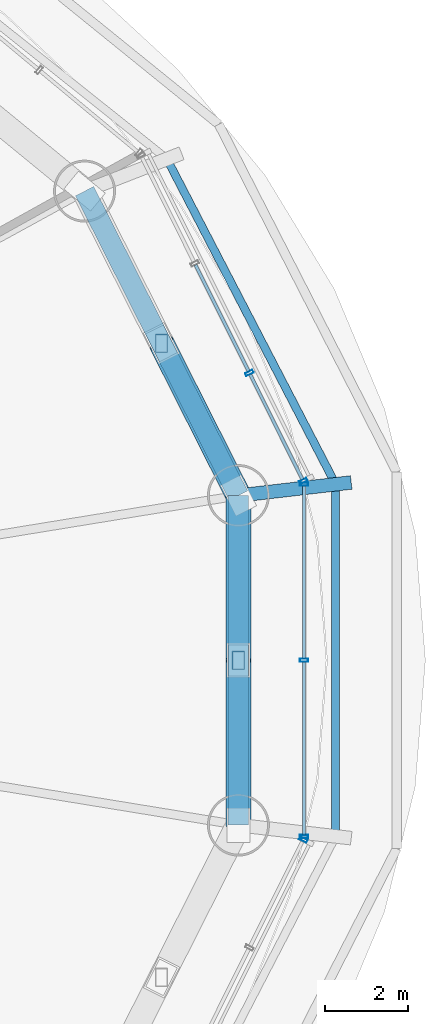
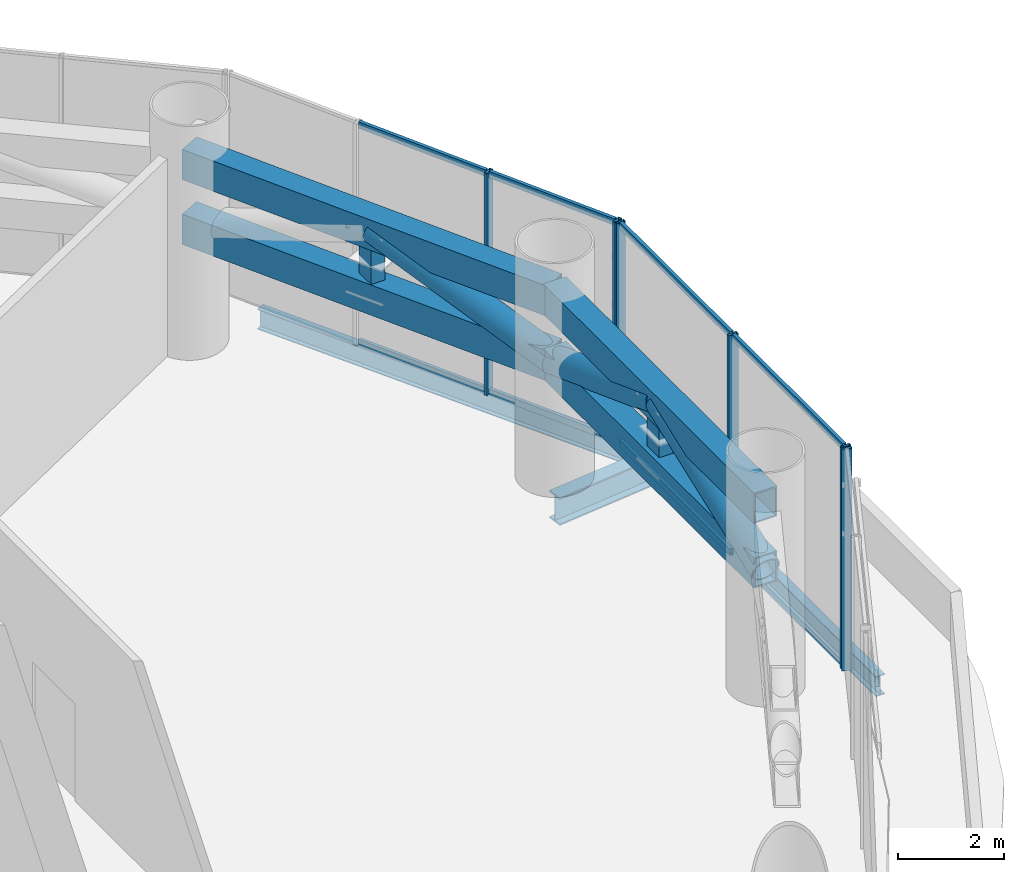
# One storey, part 17 of 33: 23 members, 3 beams, 3 elements without a shape of their own.
"""IFC4 building model written with IfcOpenShell, lengths in metres."""

from ifc_helpers import new_model, si_unit, direction, frame, origin, origin_2d, place, context, subcontext, project, spatial, hollow_rectangle, hollow_circle, i_section, extrude, source, transform, mapped, material, material_profile, profile_set, type_object, element, aggregate, save


model = new_model("IFC4")

# Units and contexts
model_context = context("Model", 3, precision=1e-05, world=origin(), true_north=direction((-0.2419218956, 0.970295726276)))
body_context = subcontext(model_context, "Body", "Model", "MODEL_VIEW")
ifc_project = project(units=[si_unit("LENGTHUNIT", "METRE"), si_unit("AREAUNIT", "SQUARE_METRE"), si_unit("VOLUMEUNIT", "CUBIC_METRE"), si_unit("PLANEANGLEUNIT", "RADIAN"), si_unit("MASSUNIT", "GRAM", prefix="KILO")], contexts=[model_context])

# Site, building, storey
site_placement = place(None, origin())
site = spatial("IfcSite", under=ifc_project, at=site_placement, CompositionType="ELEMENT")
building_placement = place(site_placement, origin())
building = spatial("IfcBuilding", under=site, at=building_placement, Name="Cobrevalo Terracotta Tower", CompositionType="ELEMENT")
storey_placement = place(building_placement, frame((0.0, 0.0, 74.39990234375)))
storey = spatial("IfcBuildingStorey", under=building, at=storey_placement, Name="L19", CompositionType="ELEMENT", Elevation=74.39990234375)

# Beams
ifc_material_1 = material(Name="Steel S355", Category="steel")
ifc_material_profile_1 = material_profile(ifc_material_1, i_section(OverallWidth=0.3291015625, OverallDepth=0.635009765625, WebThickness=0.017822265625, FlangeThickness=0.031005859375, at=origin_2d()), Name="W 610x241")
ifc_profile_set_1 = profile_set([ifc_material_profile_1], Name="Steel S355")
beam_type_1 = type_object("IfcBeamType", Name="Structural Beam W 610x241 (Steel S355)", PredefinedType="BEAM", material=ifc_profile_set_1)
beam_1_placement = place(storey_placement, frame((65.201904296875, 31.1064453125, -0.767333984375), z_axis=(-0.99333601579, -0.115254326316, 0.0), x_axis=(0.115254326316, -0.99333601579, 0.0)))
element("IfcBeam", 1, at=beam_1_placement, inside=storey, type_object=beam_type_1, Name="L19 setback step-link girder 01", PredefinedType="BEAM", context=body_context, shape_type="SweptSolid", body=[
    extrude(i_section(OverallWidth=0.3291015625, OverallDepth=0.635009765625, WebThickness=0.017822265625, FlangeThickness=0.031005859375, at=origin_2d()), origin(), (0.0, 0.0, 1.0), 2.74951171875),
])
ifc_material_profile_2 = material_profile(ifc_material_1, i_section(OverallWidth=0.194091796875, OverallDepth=0.468994140625, WebThickness=0.011474609375, FlangeThickness=0.0205078125, at=origin_2d()), Name="W 460x106")
ifc_profile_set_2 = profile_set([ifc_material_profile_2], Name="Steel S355")
beam_type_2 = type_object("IfcBeamType", Name="Structural Spandrel W 460x106 (Steel S355)", PredefinedType="SPANDREL", material=ifc_profile_set_2)
beam_2_placement = place(storey_placement, frame((64.824462890625, 31.062744140625, -0.684326171875), z_axis=(-0.460285838799, 0.88777077368, 0.0), x_axis=(-0.88777077368, -0.460285838799, 0.0)))
element("IfcBeam", 2, at=beam_2_placement, inside=storey, type_object=beam_type_2, Name="L19 perimeter ring spandrel 01", PredefinedType="SPANDREL", context=body_context, shape_type="SweptSolid", body=[
    extrude(i_section(OverallWidth=0.194091796875, OverallDepth=0.468994140625, WebThickness=0.011474609375, FlangeThickness=0.0205078125, at=origin_2d()), origin(), (0.0, 0.0, 1.0), 8.8720703125),
])
beam_3_placement = place(storey_placement, frame((64.824462890625, 22.537353515625, -0.684326171875), z_axis=(0.0, 1.0, 0.0), x_axis=(-1.0, 0.0, 0.0)))
element("IfcBeam", 3, at=beam_3_placement, inside=storey, type_object=beam_type_2, Name="L19 perimeter ring spandrel 16", PredefinedType="SPANDREL", context=body_context, shape_type="SweptSolid", body=[
    extrude(i_section(OverallWidth=0.194091796875, OverallDepth=0.468994140625, WebThickness=0.011474609375, FlangeThickness=0.0205078125, at=origin_2d()), origin(), (0.0, 0.0, 1.0), 8.525390625),
])

# Members
ifc_material_profile_3 = material_profile(ifc_material_1, hollow_rectangle(XDim=0.5, YDim=0.699951171875, WallThickness=0.031982421875, at=origin_2d()), Name="RHS 700x500x32")
ifc_profile_set_3 = profile_set([ifc_material_profile_3], Name="Steel S355")
member_type_1 = type_object("IfcMemberType", Name="Steel Chord RHS 700x500x32 (Steel S355)", PredefinedType="CHORD", material=ifc_profile_set_3)
shared_shape_1 = source(origin(), body_context, "Body", "SweptSolid", [
    extrude(hollow_rectangle(XDim=0.5, YDim=0.699951171875, WallThickness=0.031982421875, at=origin_2d()), origin(), (0.0, 0.0, 1.0), 8.259765625),
])
for number, where, z_axis, x_axis, name in (
    (4, (62.470703125, 30.78955078125, 2.650146484375), (-0.451051982172, 0.892497680321, 0.0), (-0.892497680321, -0.451051982172, 0.0), "L19 belt truss chord 01-BC"),
    (5, (62.470703125, 30.78955078125, 4.14501953125), (-0.451051982172, 0.892497680321, 0.0), (-0.892497680321, -0.451051982172, 0.0), "L19 belt truss chord 01-TC"),
):
    element("IfcMember", number, at=place(storey_placement, frame(where, z_axis=z_axis, x_axis=x_axis)), inside=storey, type_object=member_type_1, Name=name, PredefinedType="CHORD", context=body_context, shape_type="MappedRepresentation", body=[
        mapped(shared_shape_1, transform((0.0, 0.0, 0.0), scale=1.0)),
    ])
ifc_material_profile_4 = material_profile(ifc_material_1, hollow_rectangle(XDim=0.300048828125, YDim=0.449951171875, WallThickness=0.02001953125, at=origin_2d()), Name="RHS 450x300x20")
ifc_profile_set_4 = profile_set([ifc_material_profile_4], Name="Steel S355")
member_type_2 = type_object("IfcMemberType", Name="Steel Post RHS 450x300x20 (Steel S355)", PredefinedType="POST", material=ifc_profile_set_4)
shared_shape_2 = source(origin(), body_context, "Body", "SweptSolid", [
    extrude(hollow_rectangle(XDim=0.300048828125, YDim=0.449951171875, WallThickness=0.02001953125, at=origin_2d()), origin(), (0.0, 0.0, 1.0), 1.494873046875),
])
for number, where, z_axis, x_axis, name in (
    (6, (60.60791015625, 34.4755859375, 2.650146484375), (0.0, 0.0, 1.0), (1.0, 0.0, 0.0), "L19 belt truss post 01"),
    (7, (62.470703125, 26.800048828125, 2.650146484375), (0.0, 0.0, 1.0), (1.0, 0.0, 0.0), "L19 belt truss post 16"),
):
    element("IfcMember", number, at=place(storey_placement, frame(where, z_axis=z_axis, x_axis=x_axis)), inside=storey, type_object=member_type_2, Name=name, PredefinedType="POST", context=body_context, shape_type="MappedRepresentation", body=[
        mapped(shared_shape_2, transform((0.0, 0.0, 0.0), scale=1.0)),
    ])
ifc_material_profile_5 = material_profile(ifc_material_1, hollow_circle(Radius=0.304931640625, WallThickness=0.02490234375, at=origin_2d()), Name="CHS 610x25")
ifc_profile_set_5 = profile_set([ifc_material_profile_5], Name="Steel S355")
member_type_3 = type_object("IfcMemberType", Name="Steel Brace CHS 610x25 (Steel S355)", PredefinedType="BRACE", material=ifc_profile_set_5)
shared_shape_3 = source(origin(), body_context, "Body", "SweptSolid", [
    extrude(hollow_circle(Radius=0.304931640625, WallThickness=0.02490234375, at=origin_2d()), origin(), (0.0, 0.0, 1.0), 4.39208984375),
])
member_1_placement = place(storey_placement, frame((62.470703125, 30.78955078125, 2.650146484375), z_axis=(-0.424113025745, 0.839221292622, 0.340346534291), x_axis=(-0.892503693554, -0.451040083575, 0.0)))
element("IfcMember", 8, at=member_1_placement, inside=storey, type_object=member_type_3, Name="L19 belt truss diagonal brace 01-D1", PredefinedType="BRACE", context=body_context, shape_type="MappedRepresentation", body=[
    mapped(shared_shape_3, transform((0.0, 0.0, 0.0), scale=1.0)),
])
shared_shape_4 = source(origin(), body_context, "Body", "SweptSolid", [
    extrude(hollow_rectangle(XDim=0.5, YDim=0.699951171875, WallThickness=0.031982421875, at=origin_2d()), origin(), (0.0, 0.0, 1.0), 7.979248046875),
])
for number, where, z_axis, x_axis, name in (
    (9, (62.470703125, 22.810302734375, 2.650146484375), (0.0, 1.0, 0.0), (-1.0, 0.0, 0.0), "L19 belt truss chord 16-BC"),
    (10, (62.470703125, 22.810302734375, 4.14501953125), (0.0, 1.0, 0.0), (-1.0, 0.0, 0.0), "L19 belt truss chord 16-TC"),
):
    element("IfcMember", number, at=place(storey_placement, frame(where, z_axis=z_axis, x_axis=x_axis)), inside=storey, type_object=member_type_1, Name=name, PredefinedType="CHORD", context=body_context, shape_type="MappedRepresentation", body=[
        mapped(shared_shape_4, transform((0.0, 0.0, 0.0), scale=1.0)),
    ])
shared_shape_5 = source(origin(), body_context, "Body", "SweptSolid", [
    extrude(hollow_circle(Radius=0.304931640625, WallThickness=0.02490234375, at=origin_2d()), origin(), (0.0, 0.0, 1.0), 4.26025390625),
])
member_2_placement = place(storey_placement, frame((62.470703125, 30.78955078125, 2.650146484375), z_axis=(0.0, -0.936420990535, 0.35087850958), x_axis=(1.0, 0.0, 0.0)))
element("IfcMember", 11, at=member_2_placement, inside=storey, type_object=member_type_3, Name="L19 belt truss diagonal brace 16-D2", PredefinedType="BRACE", context=body_context, shape_type="MappedRepresentation", body=[
    mapped(shared_shape_5, transform((0.0, 0.0, 0.0), scale=1.0)),
])
shared_shape_6 = source(origin(), body_context, "Body", "SweptSolid", [
    extrude(hollow_circle(Radius=0.304931640625, WallThickness=0.02490234375, at=origin_2d()), origin(), (0.0, 0.0, 1.0), 4.260498046875),
])
member_3_placement = place(storey_placement, frame((62.470703125, 22.810302734375, 2.650146484375), z_axis=(0.0, 0.936428045114, 0.350859681816), x_axis=(-1.0, 0.0, 0.0)))
element("IfcMember", 12, at=member_3_placement, inside=storey, type_object=member_type_3, Name="L19 belt truss diagonal brace 16-D1", PredefinedType="BRACE", context=body_context, shape_type="MappedRepresentation", body=[
    mapped(shared_shape_6, transform((0.0, 0.0, 0.0), scale=1.0)),
])

# Curtain wall, members
ifc_material_2 = material(Name="Anodized aluminium", Category="aluminium")
curtain_wall_type = type_object("IfcCurtainWallType", Name="Belt-truss plant acoustic weather-louvre curtain wall CW-LV", PredefinedType="NOTDEFINED", material=ifc_material_2)
curtain_wall_1_placement = place(storey_placement, origin())
curtain_wall_1 = element("IfcCurtainWall", 13, at=curtain_wall_1_placement, inside=storey, type_object=curtain_wall_type, Name="L19 curtain wall CW-LV-L19-S01", PredefinedType="NOTDEFINED")
ifc_material_profile_6 = material_profile(ifc_material_2, hollow_rectangle(XDim=0.074951171875, YDim=0.199951171875, WallThickness=0.0048828125, at=origin_2d()), Name="CWM 75x200")
ifc_profile_set_6 = profile_set([ifc_material_profile_6], Name="Anodized aluminium")
member_type_4 = type_object("IfcMemberType", Name="Lower/mid tower unitised mullion 75x200", PredefinedType="MULLION", material=ifc_profile_set_6)
shared_shape_7 = source(origin(), body_context, "Body", "SweptSolid", [
    extrude(hollow_rectangle(XDim=0.074951171875, YDim=0.199951171875, WallThickness=0.0048828125, at=origin_2d()), origin(), (0.0, 0.0, 1.0), 5.125),
])
member_4_placement = place(storey_placement, frame((64.04150390625, 31.141357421875, 0.0), z_axis=(0.0, 0.0, 1.0), x_axis=(-0.446260290227, 0.894903208937, 0.0)))
member_4 = element("IfcMember", 14, at=member_4_placement, type_object=member_type_4, Name="CW-LV-L19-S01 vertical mullion 01", PredefinedType="MULLION", context=body_context, shape_type="MappedRepresentation", body=[
    mapped(shared_shape_7, transform((0.0, 0.0, 0.0), scale=1.0)),
])
member_5_placement = place(storey_placement, frame((62.737060546875, 33.757568359375, 0.0), z_axis=(0.0, 0.0, 1.0), x_axis=(-0.446260290227, 0.894903208937, 0.0)))
member_5 = element("IfcMember", 15, at=member_5_placement, type_object=member_type_4, Name="CW-LV-L19-S01 vertical mullion 02", PredefinedType="MULLION", context=body_context, shape_type="MappedRepresentation", body=[
    mapped(shared_shape_7, transform((0.0, 0.0, 0.0), scale=1.0)),
])

# Curtain wall, member
curtain_wall_2_placement = place(storey_placement, origin())
curtain_wall_2 = element("IfcCurtainWall", 16, at=curtain_wall_2_placement, inside=storey, type_object=curtain_wall_type, Name="L19 curtain wall CW-LV-L19-S15", PredefinedType="NOTDEFINED")
member_6_placement = place(storey_placement, frame((64.04150390625, 22.45849609375, 0.0), z_axis=(0.0, 0.0, 1.0), x_axis=(0.446260290227, 0.894903208937, 0.0)))
member_6 = element("IfcMember", 17, at=member_6_placement, type_object=member_type_4, Name="CW-LV-L19-S15 vertical mullion 04", PredefinedType="MULLION", context=body_context, shape_type="MappedRepresentation", body=[
    mapped(shared_shape_7, transform((0.0, 0.0, 0.0), scale=1.0)),
])
aggregate(curtain_wall_2, [member_6])

# Curtain wall, members
curtain_wall_3_placement = place(storey_placement, origin())
curtain_wall_3 = element("IfcCurtainWall", 18, at=curtain_wall_3_placement, inside=storey, type_object=curtain_wall_type, Name="L19 curtain wall CW-LV-L19-S16", PredefinedType="NOTDEFINED")
member_7_placement = place(storey_placement, frame((64.0595703125, 22.534423828125, 0.0), z_axis=(0.0, 0.0, 1.0), x_axis=(0.0, 1.0, 0.0)))
member_7 = element("IfcMember", 19, at=member_7_placement, type_object=member_type_4, Name="CW-LV-L19-S16 vertical mullion 01", PredefinedType="MULLION", context=body_context, shape_type="MappedRepresentation", body=[
    mapped(shared_shape_7, transform((0.0, 0.0, 0.0), scale=1.0)),
])
member_8_placement = place(storey_placement, frame((64.0595703125, 26.800048828125, 0.0), z_axis=(0.0, 0.0, 1.0), x_axis=(0.0, 1.0, 0.0)))
member_8 = element("IfcMember", 20, at=member_8_placement, type_object=member_type_4, Name="CW-LV-L19-S16 vertical mullion 02", PredefinedType="MULLION", context=body_context, shape_type="MappedRepresentation", body=[
    mapped(shared_shape_7, transform((0.0, 0.0, 0.0), scale=1.0)),
])
member_9_placement = place(storey_placement, frame((64.0595703125, 31.065673828125, 0.0), z_axis=(0.0, 0.0, 1.0), x_axis=(0.0, 1.0, 0.0)))
member_9 = element("IfcMember", 21, at=member_9_placement, type_object=member_type_4, Name="CW-LV-L19-S16 vertical mullion 03", PredefinedType="MULLION", context=body_context, shape_type="MappedRepresentation", body=[
    mapped(shared_shape_7, transform((0.0, 0.0, 0.0), scale=1.0)),
])

# Member
ifc_material_profile_7 = material_profile(ifc_material_2, hollow_rectangle(XDim=0.074951171875, YDim=0.14990234375, WallThickness=0.00439453125, at=origin_2d()), Name="CWT 75x150")
ifc_profile_set_7 = profile_set([ifc_material_profile_7], Name="Anodized aluminium")
member_type_5 = type_object("IfcMemberType", Name="Tower unitised aluminium transom 75x150", PredefinedType="USERDEFINED", material=ifc_profile_set_7)
shared_shape_8 = source(origin(), body_context, "Body", "SweptSolid", [
    extrude(hollow_rectangle(XDim=0.074951171875, YDim=0.14990234375, WallThickness=0.00439453125, at=origin_2d()), origin(), (0.0, 0.0, 1.0), 2.84326171875),
])
member_10_placement = place(storey_placement, frame((64.023681640625, 31.17724609375, 0.050048828125), z_axis=(-0.446251624805, 0.89490753006, 0.0), x_axis=(-0.89490753006, -0.446251624805, 0.0)))
member_10 = element("IfcMember", 22, at=member_10_placement, type_object=member_type_5, Name="CW-LV-L19-S01 transom B01-T1", ObjectType="TRANSOM", PredefinedType="USERDEFINED", context=body_context, shape_type="MappedRepresentation", body=[
    mapped(shared_shape_8, transform((0.0, 0.0, 0.0), scale=1.0)),
])

member_11_placement = place(storey_placement, frame((64.023681640625, 31.17724609375, 5.0751953125), z_axis=(-0.446251624805, 0.89490753006, 0.0), x_axis=(-0.89490753006, -0.446251624805, 0.0)))
member_11 = element("IfcMember", 23, at=member_11_placement, type_object=member_type_5, Name="CW-LV-L19-S01 transom B01-T2", ObjectType="TRANSOM", PredefinedType="USERDEFINED", context=body_context, shape_type="MappedRepresentation", body=[
    mapped(shared_shape_8, transform((0.0, 0.0, 0.0), scale=1.0)),
])

shared_shape_9 = source(origin(), body_context, "Body", "SweptSolid", [
    extrude(hollow_rectangle(XDim=0.074951171875, YDim=0.14990234375, WallThickness=0.00439453125, at=origin_2d()), origin(), (0.0, 0.0, 1.0), 2.88330078125),
])
member_12_placement = place(storey_placement, frame((62.71923828125, 33.79345703125, 0.050048828125), z_axis=(-0.446298918912, 0.894883944977, 0.0), x_axis=(-0.894883944977, -0.446298918912, 0.0)))
member_12 = element("IfcMember", 24, at=member_12_placement, type_object=member_type_5, Name="CW-LV-L19-S01 transom B02-T1", ObjectType="TRANSOM", PredefinedType="USERDEFINED", context=body_context, shape_type="MappedRepresentation", body=[
    mapped(shared_shape_9, transform((0.0, 0.0, 0.0), scale=1.0)),
])

member_13_placement = place(storey_placement, frame((62.71923828125, 33.79345703125, 5.0751953125), z_axis=(-0.446298918912, 0.894883944977, 0.0), x_axis=(-0.894883944977, -0.446298918912, 0.0)))
member_13 = element("IfcMember", 25, at=member_13_placement, type_object=member_type_5, Name="CW-LV-L19-S01 transom B02-T2", ObjectType="TRANSOM", PredefinedType="USERDEFINED", context=body_context, shape_type="MappedRepresentation", body=[
    mapped(shared_shape_9, transform((0.0, 0.0, 0.0), scale=1.0)),
])

aggregate(curtain_wall_1, [member_4, member_5, member_10, member_11, member_12, member_13])

shared_shape_10 = source(origin(), body_context, "Body", "SweptSolid", [
    extrude(hollow_rectangle(XDim=0.074951171875, YDim=0.14990234375, WallThickness=0.00439453125, at=origin_2d()), origin(), (0.0, 0.0, 1.0), 4.185546875),
])
member_14_placement = place(storey_placement, frame((64.0595703125, 22.574462890625, 0.050048828125), z_axis=(0.0, 1.0, 0.0), x_axis=(-1.0, 0.0, 0.0)))
member_14 = element("IfcMember", 26, at=member_14_placement, type_object=member_type_5, Name="CW-LV-L19-S16 transom B01-T1", ObjectType="TRANSOM", PredefinedType="USERDEFINED", context=body_context, shape_type="MappedRepresentation", body=[
    mapped(shared_shape_10, transform((0.0, 0.0, 0.0), scale=1.0)),
])

member_15_placement = place(storey_placement, frame((64.0595703125, 22.574462890625, 5.0751953125), z_axis=(0.0, 1.0, 0.0), x_axis=(-1.0, 0.0, 0.0)))
member_15 = element("IfcMember", 27, at=member_15_placement, type_object=member_type_5, Name="CW-LV-L19-S16 transom B01-T2", ObjectType="TRANSOM", PredefinedType="USERDEFINED", context=body_context, shape_type="MappedRepresentation", body=[
    mapped(shared_shape_10, transform((0.0, 0.0, 0.0), scale=1.0)),
])

member_16_placement = place(storey_placement, frame((64.0595703125, 26.840087890625, 0.050048828125), z_axis=(0.0, 1.0, 0.0), x_axis=(-1.0, 0.0, 0.0)))
member_16 = element("IfcMember", 28, at=member_16_placement, type_object=member_type_5, Name="CW-LV-L19-S16 transom B02-T1", ObjectType="TRANSOM", PredefinedType="USERDEFINED", context=body_context, shape_type="MappedRepresentation", body=[
    mapped(shared_shape_10, transform((0.0, 0.0, 0.0), scale=1.0)),
])

member_17_placement = place(storey_placement, frame((64.0595703125, 26.840087890625, 5.0751953125), z_axis=(0.0, 1.0, 0.0), x_axis=(-1.0, 0.0, 0.0)))
member_17 = element("IfcMember", 29, at=member_17_placement, type_object=member_type_5, Name="CW-LV-L19-S16 transom B02-T2", ObjectType="TRANSOM", PredefinedType="USERDEFINED", context=body_context, shape_type="MappedRepresentation", body=[
    mapped(shared_shape_10, transform((0.0, 0.0, 0.0), scale=1.0)),
])

aggregate(curtain_wall_3, [member_7, member_8, member_9, member_14, member_15, member_16, member_17])

save(model, "model.ifc")
